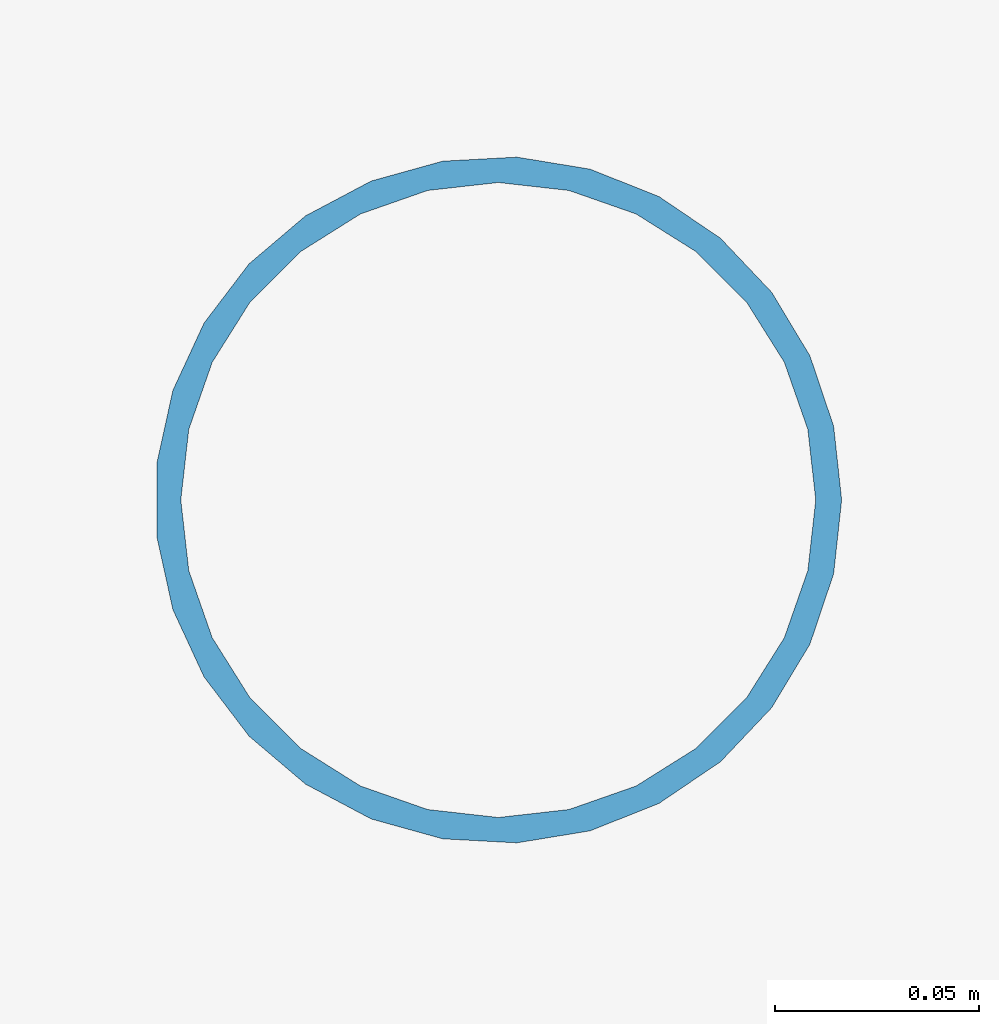
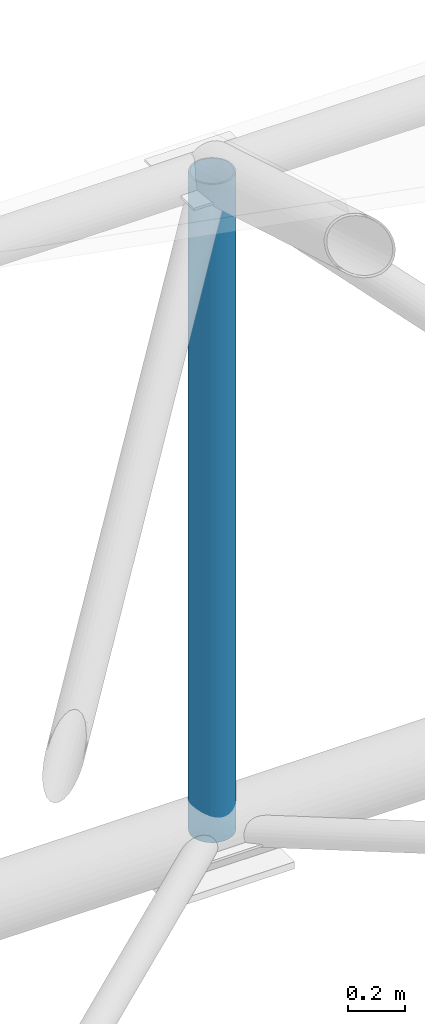
# One storey, part 42 of 100: 1 member.
"""IFC4 building model written with IfcOpenShell, lengths in metres."""

from ifc_helpers import new_model, si_unit, direction, frame, origin, origin_2d, place, context, subcontext, project, spatial, hollow_circle, extrude, material, material_profile, profile_set, type_object, element, save


model = new_model("IFC4")

# Units and contexts
model_context = context("Model", 3, precision=1e-05, world=origin(), true_north=direction((0.0, 1.0)))
body_context = subcontext(model_context, "Body", "Model", "MODEL_VIEW")
ifc_project = project(units=[si_unit("LENGTHUNIT", "METRE"), si_unit("AREAUNIT", "SQUARE_METRE"), si_unit("VOLUMEUNIT", "CUBIC_METRE"), si_unit("PLANEANGLEUNIT", "RADIAN"), si_unit("MASSUNIT", "GRAM", prefix="KILO")], contexts=[model_context])

# Site, building, storey
site_placement = place(None, origin())
site = spatial("IfcSite", under=ifc_project, at=site_placement, CompositionType="ELEMENT")
building_placement = place(site_placement, origin())
building = spatial("IfcBuilding", under=site, at=building_placement, Name="Kiln Court Media Centre", CompositionType="ELEMENT")
storey_placement = place(building_placement, frame((0.0, 0.0, 15.0)))
storey = spatial("IfcBuildingStorey", under=building, at=storey_placement, Name="L03", CompositionType="ELEMENT", Elevation=15.0)

# Member
ifc_material = material(Name="Steel ASTM A500 Gr C", Category="steel")
ifc_material_profile = material_profile(ifc_material, hollow_circle(Radius=0.084228515625, WallThickness=0.00634765625, at=origin_2d()), Name="CHS 168.3x6.3")
ifc_profile_set = profile_set([ifc_material_profile], Name="Steel ASTM A500 Gr C")
member_type = type_object("IfcMemberType", Name="Steel ASTM A500 Gr C CHS 168.3x6.3 space frame strut", PredefinedType="STRUT", material=ifc_profile_set)
member_placement = place(storey_placement, frame((140.0, 67.199951171875, 0.16455078125), z_axis=(0.0, 0.0, 1.0), x_axis=(1.0, 0.0, 0.0)))
element("IfcMember", 1, at=member_placement, inside=storey, type_object=member_type, Name="V2 roof bearing post last 5 space frame strut", PredefinedType="STRUT", context=body_context, shape_type="SweptSolid", body=[
    extrude(hollow_circle(Radius=0.084228515625, WallThickness=0.00634765625, at=origin_2d()), origin(), (0.0, 0.0, 1.0), 2.83544921875),
])

save(model, "model.ifc")
